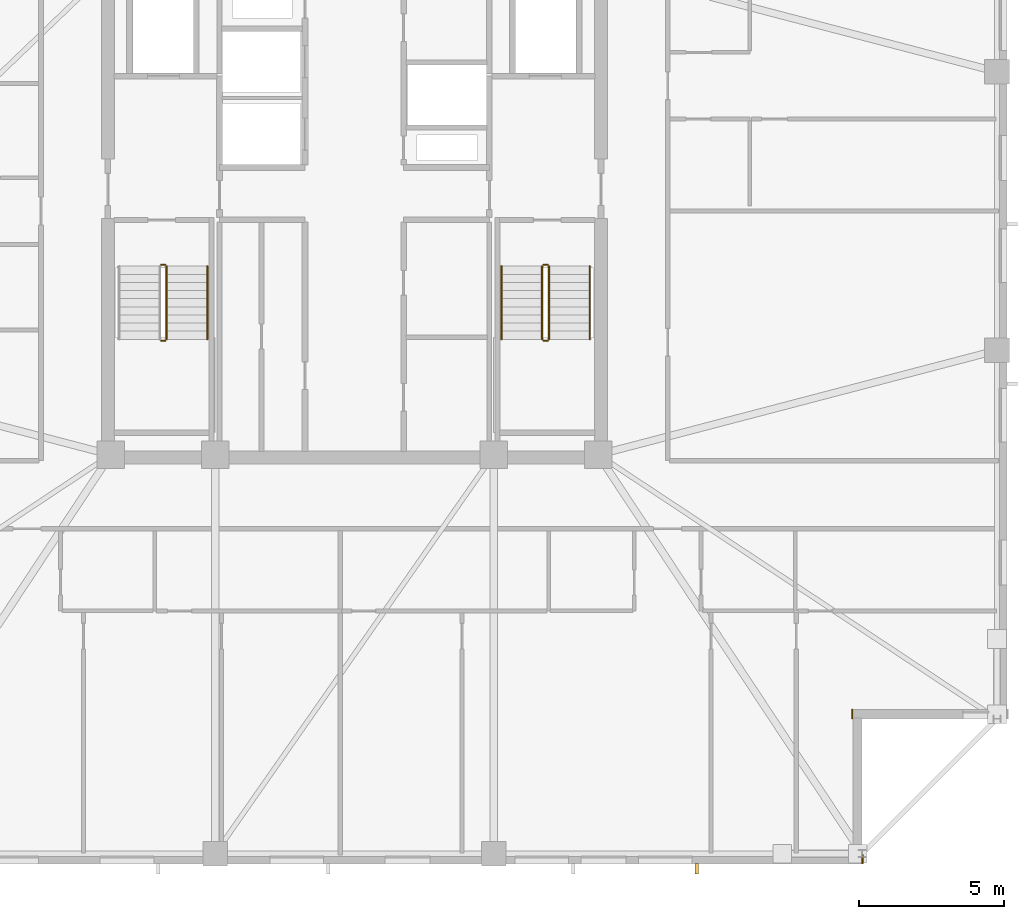
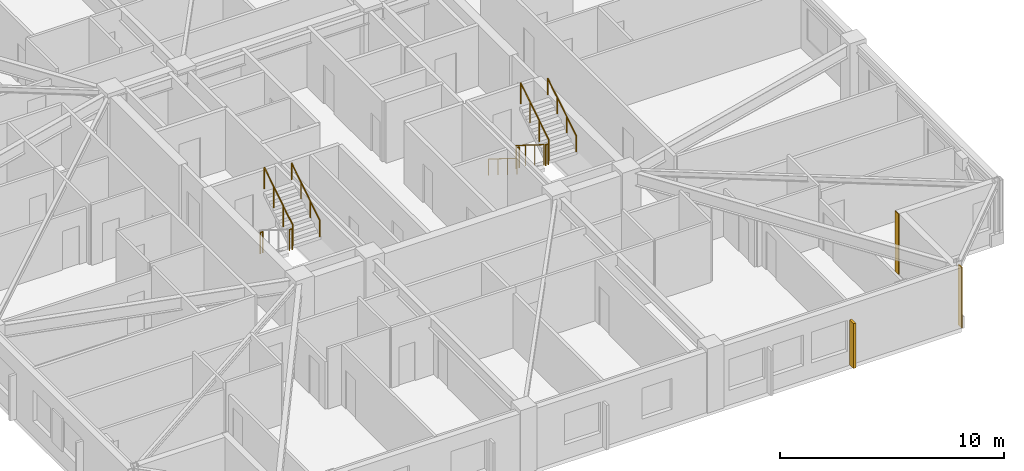
# One storey, part 14 of 17: 10 railings, 2 coverings, 1 shading device.
"""IFC4 building model written with IfcOpenShell, lengths in metres."""

from ifc_helpers import new_model, si_unit, direction, frame, frame_2d, origin, origin_2d, place, context, subcontext, project, spatial, rectangle, circle, extrude, material, layer, layer_set, type_object, element, save


model = new_model("IFC4")

# Units and contexts
model_context = context("Model", 3, precision=1e-05, world=origin(), true_north=direction((0.0, 1.0)))
body_context = subcontext(model_context, "Body", "Model", "MODEL_VIEW")
ifc_project = project(units=[si_unit("LENGTHUNIT", "METRE"), si_unit("AREAUNIT", "SQUARE_METRE"), si_unit("VOLUMEUNIT", "CUBIC_METRE"), si_unit("PLANEANGLEUNIT", "RADIAN"), si_unit("MASSUNIT", "GRAM", prefix="KILO")], contexts=[model_context])

# Site, building, storey
site_placement = place(None, origin())
site = spatial("IfcSite", under=ifc_project, at=site_placement, CompositionType="ELEMENT")
building_placement = place(site_placement, origin())
building = spatial("IfcBuilding", under=site, at=building_placement, Name="Cairnveth Concourse Tower", CompositionType="ELEMENT")
storey_placement = place(building_placement, frame((0.0, 0.0, 209.5)))
storey = spatial("IfcBuildingStorey", under=building, at=storey_placement, Name="L57", CompositionType="ELEMENT", Elevation=209.5)

# Coverings
ifc_material_1 = material(Name="Dressed Melbourne Bluestone Cladding", Category="masonry")
ifc_layer = layer(ifc_material_1, 0.050048828125)
ifc_layer_set = layer_set([ifc_layer], Name="Dressed Melbourne Bluestone Cladding")
covering_type = type_object("IfcCoveringType", Name="DRESSED BLUESTONE PLINTH CLADDING 50", PredefinedType="CLADDING", material=ifc_layer_set)
for number, where, z_axis, x_axis, name in (
    (1, (69.159912109375, 21.820068359375, 0.0), (0.0, 0.0, 1.0), (0.0, -1.0, 0.0), "Melbourne Bluestone Corner Quoin L57-852"),
    (2, (69.52001953125, 16.820068359375, 0.0), (0.0, 0.0, 1.0), (0.0, -1.0, 0.0), "Melbourne Bluestone Corner Quoin L57-853"),
):
    element("IfcCovering", number, at=place(storey_placement, frame(where, z_axis=z_axis, x_axis=x_axis)), inside=storey, type_object=covering_type, Name=name, PredefinedType="CLADDING", context=body_context, shape_type="SweptSolid", body=[
        extrude(rectangle(XDim=0.320068359375, YDim=0.050048828125, at=frame_2d((0.16015625, 0.0))), origin(), (0.0, 0.0, 1.0), 3.2900390625),
    ])

# Shading device
ifc_material_2 = material(Name="Architectural Bronze Anodised Aluminium 6063-T6", Category="aluminium")
shading_device_type = type_object("IfcShadingDeviceType", Name="GOTHIC BRONZE VERTICAL LANCET FIN", PredefinedType="USERDEFINED", material=ifc_material_2)
shading_device_placement = place(storey_placement, frame((63.79736328125, 16.324951171875, 0.030029296875), z_axis=(0.0, 0.0, 1.0), x_axis=(1.0, 0.0, 0.0)))
element("IfcShadingDevice", 3, at=shading_device_placement, inside=storey, type_object=shading_device_type, Name="Gothic Bronze Vertical Fin L57-6-1", ObjectType="VERTICAL FIN", PredefinedType="USERDEFINED", context=body_context, shape_type="SweptSolid", body=[
    extrude(rectangle(XDim=0.1201171875, YDim=0.360107421875, at=origin_2d()), origin(), (0.0, 0.0, 1.0), 2.43798828125),
])

# Railings
ifc_material_3 = material(Name="Steel Grade 350", Category="steel")
railing_type_1 = type_object("IfcRailingType", Name="STAIR GUARDRAIL 1150", PredefinedType="GUARDRAIL", material=ifc_material_3)
railing_1_placement = place(storey_placement, frame((45.340087890625, 34.530029296875, 1.75)))
element("IfcRailing", 4, at=railing_1_placement, inside=storey, type_object=railing_type_1, Name="L57 ST-1 stair guard 2", PredefinedType="GUARDRAIL", context=body_context, shape_type="SweptSolid", body=[
    extrude(circle(Radius=0.02392578125, at=origin_2d()), frame((0.0, 0.0, 1.1259765625), z_axis=(1.0, 0.0, 0.0), x_axis=(0.0, 1.0, 0.0)), (0.0, 0.0, 1.0), 0.139892578125),
    extrude(circle(Radius=0.02099609375, at=origin_2d()), origin(), (0.0, 0.0, 1.0), 1.101806640625),
    extrude(circle(Radius=0.02099609375, at=origin_2d()), frame((0.139892578125, 0.0, 0.0)), (0.0, 0.0, 1.0), 1.101806640625),
])
railing_2_placement = place(storey_placement, frame((45.530029296875, 34.580078125, 1.925048828125)))
element("IfcRailing", 5, at=railing_2_placement, inside=storey, type_object=railing_type_1, Name="L57 ST-1 stair guard 3", PredefinedType="GUARDRAIL", context=body_context, shape_type="SweptSolid", body=[
    extrude(circle(Radius=0.02392578125, at=origin_2d()), frame((0.0, 0.0, 1.1259765625), z_axis=(0.0, 0.848007534815, 0.529984170421), x_axis=(-1.0, 0.0, 0.0)), (0.0, 0.0, 1.0), 2.9716796875),
    extrude(circle(Radius=0.02099609375, at=origin_2d()), origin(), (0.0, 0.0, 1.0), 1.101806640625),
    extrude(circle(Radius=0.02099609375, at=origin_2d()), frame((0.0, 0.840087890625, 0.52490234375)), (0.0, 0.0, 1.0), 1.101806640625),
    extrude(circle(Radius=0.02099609375, at=origin_2d()), frame((0.0, 1.679931640625, 1.050048828125)), (0.0, 0.0, 1.0), 1.101806640625),
    extrude(circle(Radius=0.02099609375, at=origin_2d()), frame((0.0, 2.52001953125, 1.574951171875)), (0.0, 0.0, 1.0), 1.101806640625),
])
railing_3_placement = place(storey_placement, frame((45.340087890625, 37.14990234375, 0.0)))
element("IfcRailing", 6, at=railing_3_placement, inside=storey, type_object=railing_type_1, Name="L57 ST-1 stair guard 4", PredefinedType="GUARDRAIL", context=body_context, shape_type="SweptSolid", body=[
    extrude(circle(Radius=0.02392578125, at=origin_2d()), frame((0.0, 0.0, 1.1259765625), z_axis=(1.0, 0.0, 0.0), x_axis=(0.0, 1.0, 0.0)), (0.0, 0.0, 1.0), 0.139892578125),
    extrude(circle(Radius=0.02099609375, at=origin_2d()), origin(), (0.0, 0.0, 1.0), 1.101806640625),
    extrude(circle(Radius=0.02099609375, at=origin_2d()), frame((0.139892578125, 0.0, 0.0)), (0.0, 0.0, 1.0), 1.101806640625),
])
railing_4_placement = place(storey_placement, frame((58.469970703125, 37.10009765625, 0.175048828125)))
element("IfcRailing", 7, at=railing_4_placement, inside=storey, type_object=railing_type_1, Name="L57 ST-2 stair guard 1", PredefinedType="GUARDRAIL", context=body_context, shape_type="SweptSolid", body=[
    extrude(circle(Radius=0.02392578125, at=origin_2d()), frame((0.0, 0.0, 1.1259765625), z_axis=(0.0, -0.848007534815, 0.529984170421), x_axis=(1.0, 0.0, 0.0)), (0.0, 0.0, 1.0), 2.9716796875),
    extrude(circle(Radius=0.02099609375, at=origin_2d()), origin(), (0.0, 0.0, 1.0), 1.101806640625),
    extrude(circle(Radius=0.02099609375, at=origin_2d()), frame((0.0, -0.840087890625, 0.52490234375)), (0.0, 0.0, 1.0), 1.101806640625),
    extrude(circle(Radius=0.02099609375, at=origin_2d()), frame((0.0, -1.679931640625, 1.050048828125)), (0.0, 0.0, 1.0), 1.101806640625),
    extrude(circle(Radius=0.02099609375, at=origin_2d()), frame((0.0, -2.52001953125, 1.574951171875)), (0.0, 0.0, 1.0), 1.101806640625),
])
railing_5_placement = place(storey_placement, frame((58.52001953125, 34.530029296875, 1.75)))
element("IfcRailing", 8, at=railing_5_placement, inside=storey, type_object=railing_type_1, Name="L57 ST-2 stair guard 2", PredefinedType="GUARDRAIL", context=body_context, shape_type="SweptSolid", body=[
    extrude(circle(Radius=0.02392578125, at=origin_2d()), frame((0.0, 0.0, 1.1259765625), z_axis=(1.0, 0.0, 0.0), x_axis=(0.0, 1.0, 0.0)), (0.0, 0.0, 1.0), 0.139892578125),
    extrude(circle(Radius=0.02099609375, at=origin_2d()), origin(), (0.0, 0.0, 1.0), 1.101806640625),
    extrude(circle(Radius=0.02099609375, at=origin_2d()), frame((0.139892578125, 0.0, 0.0)), (0.0, 0.0, 1.0), 1.101806640625),
])
railing_6_placement = place(storey_placement, frame((58.7099609375, 34.580078125, 1.925048828125)))
element("IfcRailing", 9, at=railing_6_placement, inside=storey, type_object=railing_type_1, Name="L57 ST-2 stair guard 3", PredefinedType="GUARDRAIL", context=body_context, shape_type="SweptSolid", body=[
    extrude(circle(Radius=0.02392578125, at=origin_2d()), frame((0.0, 0.0, 1.1259765625), z_axis=(0.0, 0.848007534815, 0.529984170421), x_axis=(-1.0, 0.0, 0.0)), (0.0, 0.0, 1.0), 2.9716796875),
    extrude(circle(Radius=0.02099609375, at=origin_2d()), origin(), (0.0, 0.0, 1.0), 1.101806640625),
    extrude(circle(Radius=0.02099609375, at=origin_2d()), frame((0.0, 0.840087890625, 0.52490234375)), (0.0, 0.0, 1.0), 1.101806640625),
    extrude(circle(Radius=0.02099609375, at=origin_2d()), frame((0.0, 1.679931640625, 1.050048828125)), (0.0, 0.0, 1.0), 1.101806640625),
    extrude(circle(Radius=0.02099609375, at=origin_2d()), frame((0.0, 2.52001953125, 1.574951171875)), (0.0, 0.0, 1.0), 1.101806640625),
])
railing_7_placement = place(storey_placement, frame((58.52001953125, 37.14990234375, 0.0)))
element("IfcRailing", 10, at=railing_7_placement, inside=storey, type_object=railing_type_1, Name="L57 ST-2 stair guard 4", PredefinedType="GUARDRAIL", context=body_context, shape_type="SweptSolid", body=[
    extrude(circle(Radius=0.02392578125, at=origin_2d()), frame((0.0, 0.0, 1.1259765625), z_axis=(1.0, 0.0, 0.0), x_axis=(0.0, 1.0, 0.0)), (0.0, 0.0, 1.0), 0.139892578125),
    extrude(circle(Radius=0.02099609375, at=origin_2d()), origin(), (0.0, 0.0, 1.0), 1.101806640625),
    extrude(circle(Radius=0.02099609375, at=origin_2d()), frame((0.139892578125, 0.0, 0.0)), (0.0, 0.0, 1.0), 1.101806640625),
])
railing_type_2 = type_object("IfcRailingType", Name="STAIR WALL HANDRAIL 900", PredefinedType="HANDRAIL", material=ifc_material_3)
railing_8_placement = place(storey_placement, frame((46.929931640625, 34.580078125, 1.925048828125)))
element("IfcRailing", 11, at=railing_8_placement, inside=storey, type_object=railing_type_2, Name="L57 ST-1 stair handrail 2", PredefinedType="HANDRAIL", context=body_context, shape_type="SweptSolid", body=[
    extrude(circle(Radius=0.02392578125, at=origin_2d()), frame((0.0, 0.0, 0.8759765625), z_axis=(0.0, 0.848007534815, 0.529984170421), x_axis=(-1.0, 0.0, 0.0)), (0.0, 0.0, 1.0), 2.9716796875),
    extrude(circle(Radius=0.02099609375, at=origin_2d()), origin(), (0.0, 0.0, 1.0), 0.851806640625),
    extrude(circle(Radius=0.02099609375, at=origin_2d()), frame((0.0, 0.840087890625, 0.52490234375)), (0.0, 0.0, 1.0), 0.851806640625),
    extrude(circle(Radius=0.02099609375, at=origin_2d()), frame((0.0, 1.679931640625, 1.050048828125)), (0.0, 0.0, 1.0), 0.851806640625),
    extrude(circle(Radius=0.02099609375, at=origin_2d()), frame((0.0, 2.52001953125, 1.574951171875)), (0.0, 0.0, 1.0), 0.851806640625),
])
railing_9_placement = place(storey_placement, frame((57.070068359375, 37.10009765625, 0.175048828125)))
element("IfcRailing", 12, at=railing_9_placement, inside=storey, type_object=railing_type_2, Name="L57 ST-2 stair handrail 1", PredefinedType="HANDRAIL", context=body_context, shape_type="SweptSolid", body=[
    extrude(circle(Radius=0.02392578125, at=origin_2d()), frame((0.0, 0.0, 0.8759765625), z_axis=(0.0, -0.848007534815, 0.529984170421), x_axis=(1.0, 0.0, 0.0)), (0.0, 0.0, 1.0), 2.9716796875),
    extrude(circle(Radius=0.02099609375, at=origin_2d()), origin(), (0.0, 0.0, 1.0), 0.851806640625),
    extrude(circle(Radius=0.02099609375, at=origin_2d()), frame((0.0, -0.840087890625, 0.52490234375)), (0.0, 0.0, 1.0), 0.851806640625),
    extrude(circle(Radius=0.02099609375, at=origin_2d()), frame((0.0, -1.679931640625, 1.050048828125)), (0.0, 0.0, 1.0), 0.851806640625),
    extrude(circle(Radius=0.02099609375, at=origin_2d()), frame((0.0, -2.52001953125, 1.574951171875)), (0.0, 0.0, 1.0), 0.851806640625),
])
railing_10_placement = place(storey_placement, frame((60.110107421875, 34.580078125, 1.925048828125)))
element("IfcRailing", 13, at=railing_10_placement, inside=storey, type_object=railing_type_2, Name="L57 ST-2 stair handrail 2", PredefinedType="HANDRAIL", context=body_context, shape_type="SweptSolid", body=[
    extrude(circle(Radius=0.02392578125, at=origin_2d()), frame((0.0, 0.0, 0.8759765625), z_axis=(0.0, 0.848007534815, 0.529984170421), x_axis=(-1.0, 0.0, 0.0)), (0.0, 0.0, 1.0), 2.9716796875),
    extrude(circle(Radius=0.02099609375, at=origin_2d()), origin(), (0.0, 0.0, 1.0), 0.851806640625),
    extrude(circle(Radius=0.02099609375, at=origin_2d()), frame((0.0, 0.840087890625, 0.52490234375)), (0.0, 0.0, 1.0), 0.851806640625),
    extrude(circle(Radius=0.02099609375, at=origin_2d()), frame((0.0, 1.679931640625, 1.050048828125)), (0.0, 0.0, 1.0), 0.851806640625),
    extrude(circle(Radius=0.02099609375, at=origin_2d()), frame((0.0, 2.52001953125, 1.574951171875)), (0.0, 0.0, 1.0), 0.851806640625),
])

save(model, "model.ifc")
